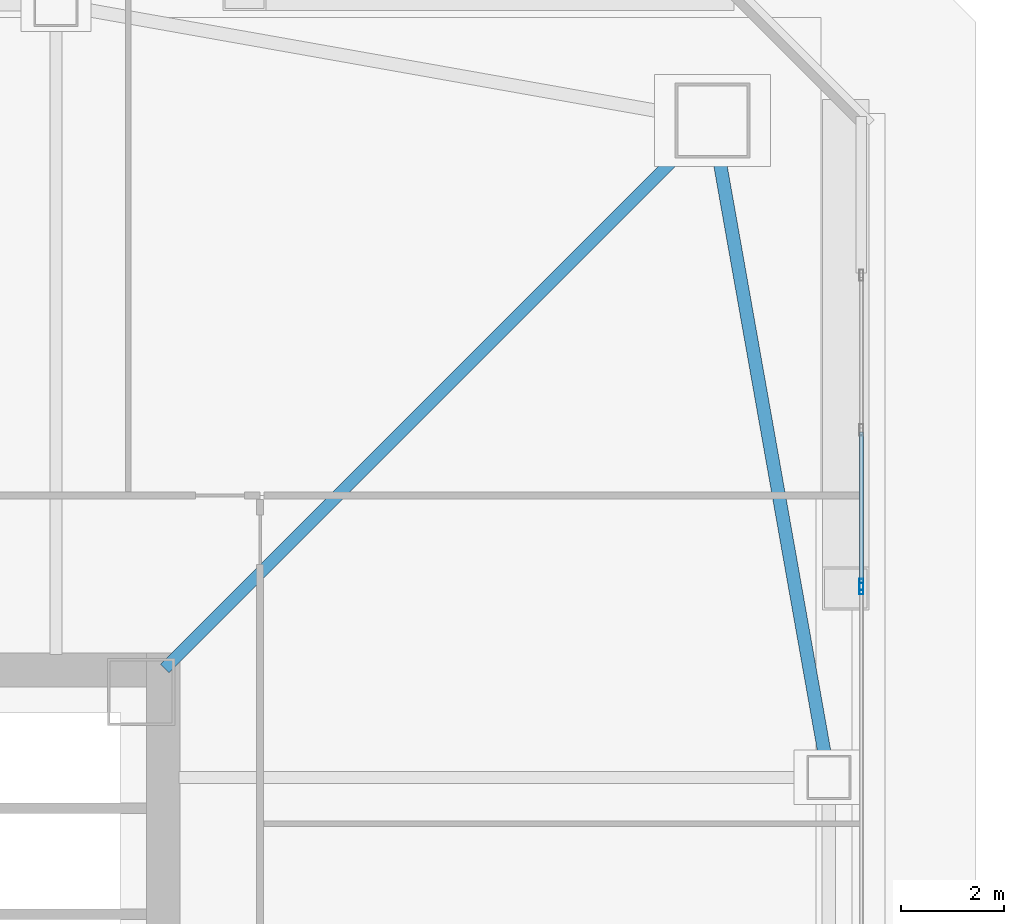
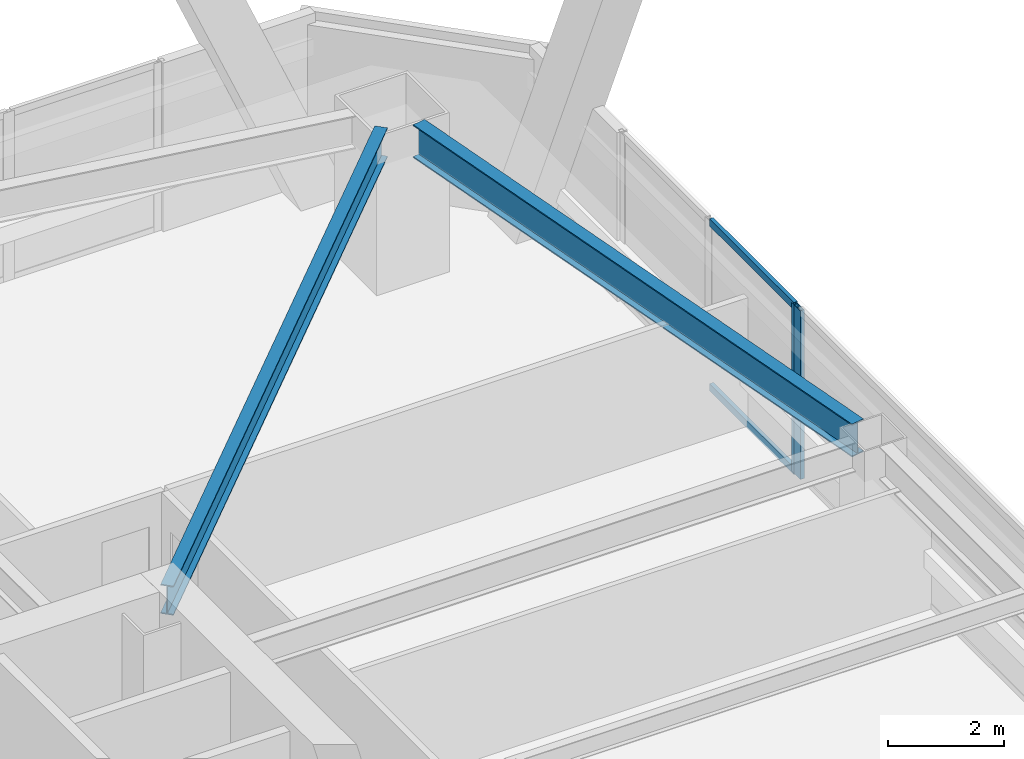
# One storey, part 26 of 67: 4 members, 2 beams, 2 elements without a shape of their own.
"""IFC4 building model written with IfcOpenShell, lengths in metres."""

from ifc_helpers import new_model, si_unit, direction, frame, origin, origin_2d, place, context, subcontext, project, spatial, hollow_rectangle, i_section, extrude, material, material_profile, profile_set, type_object, element, aggregate, save


model = new_model("IFC4")

# Units and contexts
model_context = context("Model", 3, precision=1e-05, world=origin(), true_north=direction((0.0, 1.0)))
body_context = subcontext(model_context, "Body", "Model", "MODEL_VIEW")
ifc_project = project(units=[si_unit("LENGTHUNIT", "METRE"), si_unit("AREAUNIT", "SQUARE_METRE"), si_unit("VOLUMEUNIT", "CUBIC_METRE"), si_unit("PLANEANGLEUNIT", "RADIAN"), si_unit("MASSUNIT", "GRAM", prefix="KILO")], contexts=[model_context])

# Site, building, storey
site_placement = place(None, origin())
site = spatial("IfcSite", under=ifc_project, at=site_placement, CompositionType="ELEMENT")
building_placement = place(site_placement, origin())
building = spatial("IfcBuilding", under=site, at=building_placement, Name="Tashvorn Skyway Center", CompositionType="ELEMENT")
storey_placement = place(building_placement, frame((0.0, 0.0, 67.199951171875)))
storey = spatial("IfcBuildingStorey", under=building, at=storey_placement, Name="L17", CompositionType="ELEMENT", Elevation=67.199951171875)

# Beams
ifc_material_1 = material(Name="Steel ASTM A992 Grade 50", Category="steel")
ifc_material_profile_1 = material_profile(ifc_material_1, i_section(OverallWidth=0.22998046875, OverallDepth=0.616943359375, WebThickness=0.01318359375, FlangeThickness=0.022216796875, at=origin_2d()), Name="W24X94")
ifc_profile_set_1 = profile_set([ifc_material_profile_1], Name="Steel ASTM A992 Grade 50")
beam_type_1 = type_object("IfcBeamType", Name="BM-BEAM-W24X94", PredefinedType="BEAM", material=ifc_profile_set_1)
beam_1_placement = place(storey_placement, frame((59.5908203125, 49.5908203125, 3.04150390625), z_axis=(-0.707106781187, -0.707106781187, 0.0), x_axis=(0.707106781187, -0.707106781187, 0.0)))
element("IfcBeam", 1, at=beam_1_placement, inside=storey, type_object=beam_type_1, Name="Tower 1 L17 Primary Floor Girder MC-NE", PredefinedType="BEAM", context=body_context, shape_type="SweptSolid", body=[
    extrude(i_section(OverallWidth=0.22998046875, OverallDepth=0.616943359375, WebThickness=0.01318359375, FlangeThickness=0.022216796875, at=origin_2d()), origin(), (0.0, 0.0, 1.0), 14.261962890625),
])
ifc_material_profile_2 = material_profile(ifc_material_1, i_section(OverallWidth=0.256103515625, OverallDepth=0.693115234375, WebThickness=0.014404296875, FlangeThickness=0.023681640625, at=origin_2d()), Name="W27X114")
ifc_profile_set_2 = profile_set([ifc_material_profile_2], Name="Steel ASTM A992 Grade 50")
beam_type_2 = type_object("IfcBeamType", Name="BM-SPANDREL-W27X114", PredefinedType="SPANDREL", material=ifc_profile_set_2)
beam_2_placement = place(storey_placement, frame((62.276611328125, 37.8134765625, 3.003662109375), z_axis=(-0.174437966698, 0.98466816531, 0.0), x_axis=(-0.98466816531, -0.174437966698, 0.0)))
element("IfcBeam", 2, at=beam_2_placement, inside=storey, type_object=beam_type_2, Name="Tower 1 L17 Spandrel Beam 06", PredefinedType="SPANDREL", context=body_context, shape_type="SweptSolid", body=[
    extrude(i_section(OverallWidth=0.256103515625, OverallDepth=0.693115234375, WebThickness=0.014404296875, FlangeThickness=0.023681640625, at=origin_2d()), origin(), (0.0, 0.0, 1.0), 11.7578125),
])

# Curtain wall, member
ifc_material_2 = material(Name="Thermally broken bronze-anodized aluminium 6063-T6", Category="aluminium")
curtain_wall_type = type_object("IfcCurtainWallType", Name="CW-CW-Z2", PredefinedType="NOTDEFINED", material=ifc_material_2)
curtain_wall_1_placement = place(storey_placement, origin())
curtain_wall_1 = element("IfcCurtainWall", 3, at=curtain_wall_1_placement, inside=storey, type_object=curtain_wall_type, Name="Tower 1 L17 East Unitised Curtain Wall Glazing Group 1", PredefinedType="NOTDEFINED")
ifc_material_profile_3 = material_profile(ifc_material_2, hollow_rectangle(XDim=0.080078125, YDim=0.219970703125, WallThickness=0.0048828125, at=origin_2d()), Name="ALU-MULL-80x220")
ifc_profile_set_3 = profile_set([ifc_material_profile_3], Name="Thermally broken bronze-anodized aluminium 6063-T6")
member_type_1 = type_object("IfcMemberType", Name="CWM-CW-Z2", PredefinedType="MULLION", material=ifc_profile_set_3)
member_1_placement = place(storey_placement, frame((62.97998046875, 41.1298828125, 0.0), z_axis=(0.0, 0.0, 1.0), x_axis=(1.0, 0.0, 0.0)))
member_1 = element("IfcMember", 4, at=member_1_placement, type_object=member_type_1, Name="CW-Z2 mullion 3", PredefinedType="MULLION", context=body_context, shape_type="SweptSolid", body=[
    extrude(hollow_rectangle(XDim=0.080078125, YDim=0.219970703125, WallThickness=0.0048828125, at=origin_2d()), origin(), (0.0, 0.0, 1.0), 3.550048828125),
])

curtain_wall_2_placement = place(storey_placement, origin())
curtain_wall_2 = element("IfcCurtainWall", 5, at=curtain_wall_2_placement, inside=storey, type_object=curtain_wall_type, Name="Tower 1 L17 East Unitised Curtain Wall Glazing Group 2", PredefinedType="NOTDEFINED")
member_2_placement = place(storey_placement, frame((62.97998046875, 41.050048828125, 0.0), z_axis=(0.0, 0.0, 1.0), x_axis=(1.0, 0.0, 0.0)))
member_2 = element("IfcMember", 6, at=member_2_placement, type_object=member_type_1, Name="CW-Z2 mullion 1", PredefinedType="MULLION", context=body_context, shape_type="SweptSolid", body=[
    extrude(hollow_rectangle(XDim=0.080078125, YDim=0.219970703125, WallThickness=0.0048828125, at=origin_2d()), origin(), (0.0, 0.0, 1.0), 3.550048828125),
])
aggregate(curtain_wall_2, [member_2])

# Member
ifc_material_profile_4 = material_profile(ifc_material_2, hollow_rectangle(XDim=0.080078125, YDim=0.14990234375, WallThickness=0.00439453125, at=origin_2d()), Name="ALU-TRAN-80x150")
ifc_profile_set_4 = profile_set([ifc_material_profile_4], Name="Thermally broken bronze-anodized aluminium 6063-T6")
member_type_2 = type_object("IfcMemberType", Name="CWT-CW-Z2", PredefinedType="USERDEFINED", material=ifc_profile_set_4)
member_3_placement = place(storey_placement, frame((62.97998046875, 44.080078125, 0.0400390625), z_axis=(0.0, -1.0, 0.0), x_axis=(1.0, 0.0, 0.0)))
member_3 = element("IfcMember", 7, at=member_3_placement, type_object=member_type_2, Name="CW-Z2 transom 2.1", ObjectType="TRANSOM", PredefinedType="USERDEFINED", context=body_context, shape_type="SweptSolid", body=[
    extrude(hollow_rectangle(XDim=0.080078125, YDim=0.14990234375, WallThickness=0.00439453125, at=origin_2d()), origin(), (0.0, 0.0, 1.0), 2.91015625),
])

member_4_placement = place(storey_placement, frame((62.97998046875, 44.080078125, 3.510009765625), z_axis=(0.0, -1.0, 0.0), x_axis=(1.0, 0.0, 0.0)))
member_4 = element("IfcMember", 8, at=member_4_placement, type_object=member_type_2, Name="CW-Z2 transom 2.2", ObjectType="TRANSOM", PredefinedType="USERDEFINED", context=body_context, shape_type="SweptSolid", body=[
    extrude(hollow_rectangle(XDim=0.080078125, YDim=0.14990234375, WallThickness=0.00439453125, at=origin_2d()), origin(), (0.0, 0.0, 1.0), 2.91015625),
])

aggregate(curtain_wall_1, [member_1, member_3, member_4])

save(model, "model.ifc")
